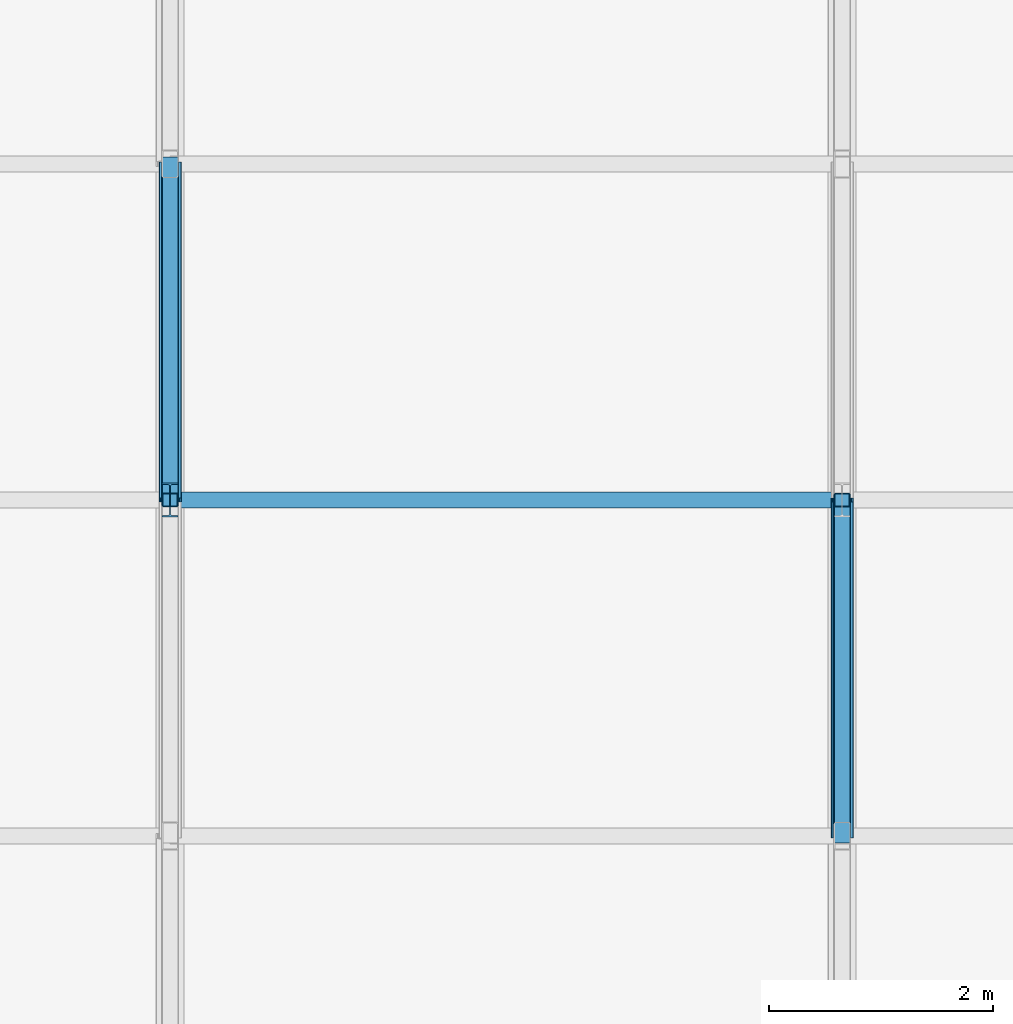
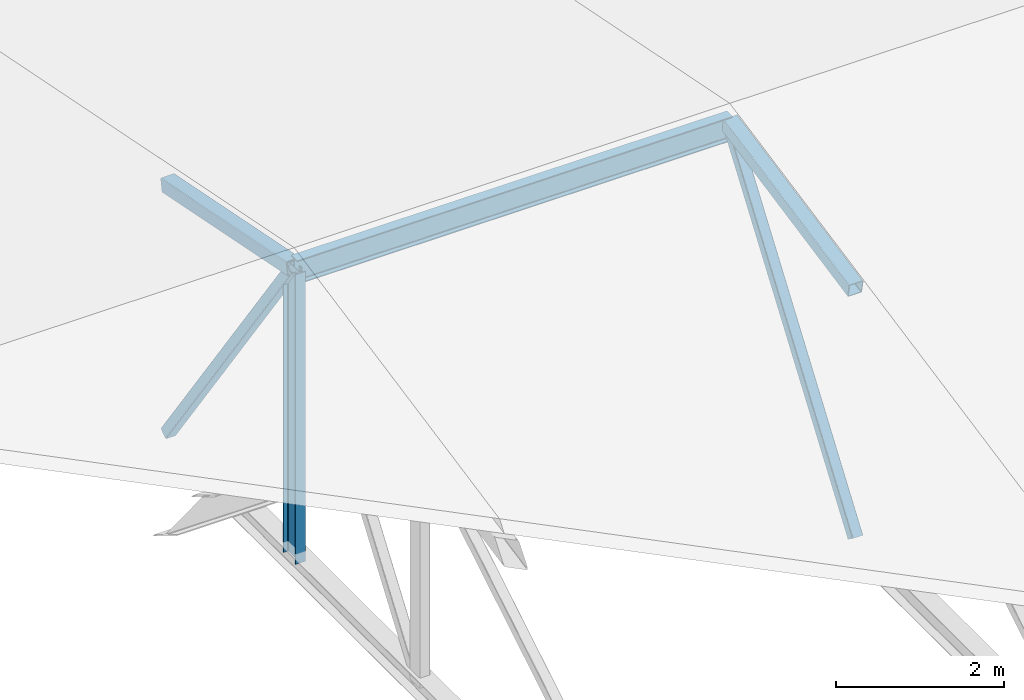
# One storey, part 30 of 83: 4 members, 2 beams.
"""IFC4 building model written with IfcOpenShell, lengths in metres."""

from ifc_helpers import new_model, si_unit, direction, frame, origin, origin_2d, place, context, subcontext, project, spatial, hollow_rectangle, i_section, extrude, material, material_profile, profile_set, type_object, element, save


model = new_model("IFC4")

# Units and contexts
model_context = context("Model", 3, precision=1e-05, world=origin(), true_north=direction((0.0, 1.0)))
body_context = subcontext(model_context, "Body", "Model", "MODEL_VIEW")
ifc_project = project(units=[si_unit("LENGTHUNIT", "METRE"), si_unit("AREAUNIT", "SQUARE_METRE"), si_unit("VOLUMEUNIT", "CUBIC_METRE"), si_unit("PLANEANGLEUNIT", "RADIAN"), si_unit("MASSUNIT", "GRAM", prefix="KILO")], contexts=[model_context])

# Site, building, storey
site_placement = place(None, origin())
site = spatial("IfcSite", under=ifc_project, at=site_placement, CompositionType="ELEMENT")
building_placement = place(site_placement, origin())
building = spatial("IfcBuilding", under=site, at=building_placement, Name="Varnakota Square Police Headquarters", CompositionType="ELEMENT")
storey_placement = place(building_placement, frame((0.0, 0.0, 18.0)))
storey = spatial("IfcBuildingStorey", under=building, at=storey_placement, Name="L04", CompositionType="ELEMENT", Elevation=18.0)

# Beams
ifc_material = material(Name="Steel IS 2062 Grade 350", Category="steel")
ifc_material_profile_1 = material_profile(ifc_material, hollow_rectangle(XDim=0.199951171875, YDim=0.199951171875, WallThickness=0.010009765625, InnerFilletRadius=0.010009765625, OuterFilletRadius=0.02001953125, at=origin_2d()), Name="SHS 200x200x10")
ifc_profile_set_1 = profile_set([ifc_material_profile_1], Name="Steel IS 2062 Grade 350")
beam_type = type_object("IfcBeamType", Name="BM-TR-SHS200", PredefinedType="BEAM", material=ifc_profile_set_1)
for number, where, z_axis, x_axis, name in (
    (1, (30.0, 90.0, 2.719970703125), (0.0, 0.980589882373, -0.196070096109), (-1.0, 0.0, 0.0), "ROOF TRUSS top chord T4-P4"),
    (2, (36.0, 87.0, 2.1201171875), (0.0, 0.980589882373, 0.196070096109), (-1.0, 0.0, 0.0), "ROOF TRUSS top chord T5-P3"),
):
    element("IfcBeam", number, at=place(storey_placement, frame(where, z_axis=z_axis, x_axis=x_axis)), inside=storey, type_object=beam_type, Name=name, PredefinedType="BEAM", context=body_context, shape_type="SweptSolid", body=[
        extrude(hollow_rectangle(XDim=0.199951171875, YDim=0.199951171875, WallThickness=0.010009765625, InnerFilletRadius=0.010009765625, OuterFilletRadius=0.02001953125, at=origin_2d()), origin(), (0.0, 0.0, 1.0), 3.059326171875),
    ])

# Members
ifc_material_profile_2 = material_profile(ifc_material, hollow_rectangle(XDim=0.14990234375, YDim=0.14990234375, WallThickness=0.008056640625, InnerFilletRadius=0.008056640625, OuterFilletRadius=0.01611328125, at=origin_2d()), Name="SHS 150x150x8")
ifc_profile_set_2 = profile_set([ifc_material_profile_2], Name="Steel IS 2062 Grade 350")
member_type_1 = type_object("IfcMemberType", Name="MEM-BR-SHS150", PredefinedType="BRACE", material=ifc_profile_set_2)
for number, where, z_axis, x_axis, name in (
    (3, (30.0, 90.0, 2.719970703125), (0.0, 0.579412433141, -0.815034497627), (-1.0, 0.0, 0.0), "ROOF TRUSS diagonal web T4-P4"),
    (4, (36.0, 87.0, -1.5), (0.0, 0.579412433141, 0.815034497627), (-1.0, 0.0, 0.0), "ROOF TRUSS diagonal web T5-P3"),
):
    element("IfcMember", number, at=place(storey_placement, frame(where, z_axis=z_axis, x_axis=x_axis)), inside=storey, type_object=member_type_1, Name=name, PredefinedType="BRACE", context=body_context, shape_type="SweptSolid", body=[
        extrude(hollow_rectangle(XDim=0.14990234375, YDim=0.14990234375, WallThickness=0.008056640625, InnerFilletRadius=0.008056640625, OuterFilletRadius=0.01611328125, at=origin_2d()), origin(), (0.0, 0.0, 1.0), 5.177734375),
    ])
ifc_material_profile_3 = material_profile(ifc_material, i_section(OverallWidth=0.139892578125, OverallDepth=0.35009765625, WebThickness=0.008056640625, FlangeThickness=0.01416015625, FilletRadius=0.013916015625, at=origin_2d()), Name="ISMB 350")
ifc_profile_set_3 = profile_set([ifc_material_profile_3], Name="Steel IS 2062 Grade 350")
member_type_2 = type_object("IfcMemberType", Name="MEM-PUR-ISMB350", PredefinedType="PURLIN", material=ifc_profile_set_3)
member_1_placement = place(storey_placement, frame((30.0, 90.0, 2.675048828125), z_axis=(1.0, 0.0, 0.0), x_axis=(0.0, 1.0, 0.0)))
element("IfcMember", 5, at=member_1_placement, inside=storey, type_object=member_type_2, Name="Tactical hall purlin B4-Y90", PredefinedType="PURLIN", context=body_context, shape_type="SweptSolid", body=[
    extrude(i_section(OverallWidth=0.139892578125, OverallDepth=0.35009765625, WebThickness=0.008056640625, FlangeThickness=0.01416015625, FilletRadius=0.013916015625, at=origin_2d()), origin(), (0.0, 0.0, 1.0), 6.0),
])
ifc_material_profile_4 = material_profile(ifc_material, i_section(OverallWidth=0.139892578125, OverallDepth=0.300048828125, WebThickness=0.0078125, FlangeThickness=0.01318359375, FilletRadius=0.013916015625, at=origin_2d()), Name="ISMB 300")
ifc_profile_set_4 = profile_set([ifc_material_profile_4], Name="Steel IS 2062 Grade 350")
member_type_3 = type_object("IfcMemberType", Name="MEM-STR-ISMB300", PredefinedType="STRUT", material=ifc_profile_set_4)
member_2_placement = place(storey_placement, frame((30.0, 90.0, -1.5), z_axis=(0.0, 0.0, 1.0), x_axis=(1.0, 0.0, 0.0)))
element("IfcMember", 6, at=member_2_placement, inside=storey, type_object=member_type_3, Name="ROOF TRUSS vertical strut T4-V3", PredefinedType="STRUT", context=body_context, shape_type="SweptSolid", body=[
    extrude(i_section(OverallWidth=0.139892578125, OverallDepth=0.300048828125, WebThickness=0.0078125, FlangeThickness=0.01318359375, FilletRadius=0.013916015625, at=origin_2d()), origin(), (0.0, 0.0, 1.0), 4.219970703125),
])

save(model, "model.ifc")
